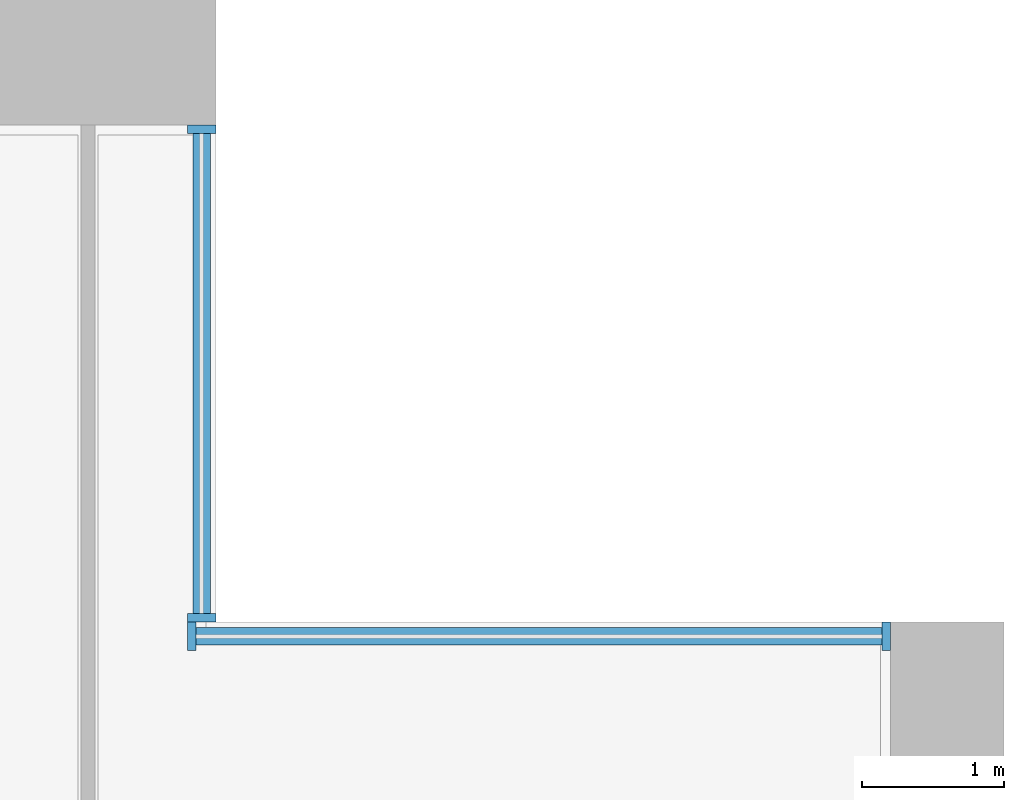
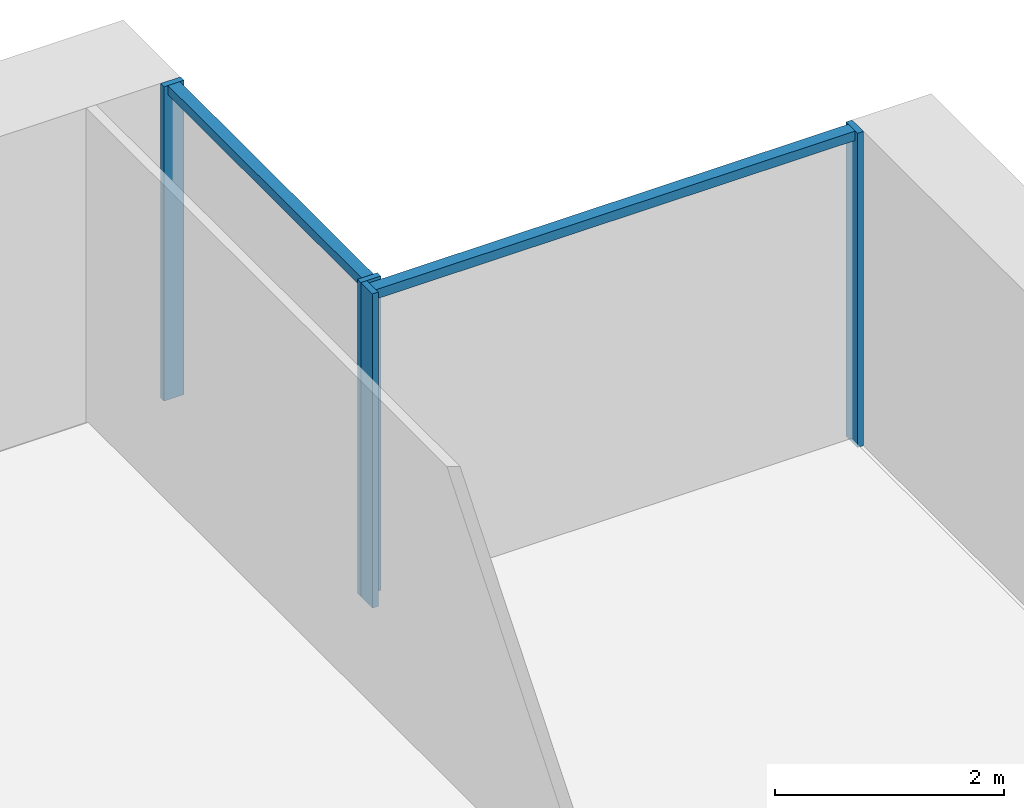
# One storey, part 6 of 18: 6 members, 2 elements without a shape of their own.
"""IFC4 building model written with IfcOpenShell, lengths in metres."""

import ifcopenshell
import ifcopenshell.guid

model = None  # the IFC model being written
_history = None  # IfcOwnerHistory: only IFC2X3 demands one
_inside = {}  # id of a spatial element -> (the spatial element, [elements in it])
_under = {}  # id of a project, library or spatial element -> (it, [spatial elements below it])
_declared = {}  # id of a project -> (the project, [libraries it declares])
_typed = {}  # id of a type object -> (the type object, [elements of that type])
_made_of = {}  # id of a material, layer set ... -> (it, [elements and type objects made of it])


def new_model(schema):
    """Start an empty IFC model of exactly this schema.

    Asked for "IFC4X3", IfcOpenShell would pick the latest addendum, in which some entities
    have other attributes; the version numbers below select the first issue.
    IFC2X3 requires an IfcOwnerHistory on every rooted entity: one is made here for all.
    """
    global model, _history
    if schema == "IFC4X3":
        model = ifcopenshell.file(schema_version=(4, 3, 0, 0))
    else:
        model = ifcopenshell.file(schema=schema)
    _inside.clear()
    _under.clear()
    _declared.clear()
    _typed.clear()
    _made_of.clear()
    _history = None
    if model.schema == "IFC2X3":
        org = make("IfcOrganization", Name="unknown")
        user = make(
            "IfcPersonAndOrganization",
            ThePerson=make("IfcPerson", FamilyName="unknown"),
            TheOrganization=org,
        )
        app = make(
            "IfcApplication",
            ApplicationDeveloper=org,
            Version="unknown",
            ApplicationFullName="unknown",
            ApplicationIdentifier="unknown",
        )
        _history = make(
            "IfcOwnerHistory",
            OwningUser=user,
            OwningApplication=app,
            ChangeAction="ADDED",
            CreationDate=0,
        )
    return model


def make(cls, **values):
    """One entity of the class cls with the attributes given. An attribute that is None is left unset."""
    return model.create_entity(
        cls, **{name: value for name, value in values.items() if value is not None}
    )


def rooted(cls, **values):
    """An entity with a GlobalId (a new one), such as an element, a storey or a relation."""
    return make(cls, GlobalId=ifcopenshell.guid.new(), OwnerHistory=_history, **values)


def si_unit(unit_type, name, prefix=None):
    """IfcSIUnit, for example si_unit("LENGTHUNIT", "METRE", prefix="MILLI")."""
    return make("IfcSIUnit", UnitType=unit_type, Prefix=prefix, Name=name)


def assignment(units):
    """IfcUnitAssignment: the units of a project."""
    return None if units is None else make("IfcUnitAssignment", Units=units)


def point(xyz):
    """IfcCartesianPoint."""
    return None if xyz is None else make("IfcCartesianPoint", Coordinates=xyz)


def direction(xyz):
    """IfcDirection."""
    return None if xyz is None else make("IfcDirection", DirectionRatios=xyz)


def frame(location, z_axis=None, x_axis=None):
    """IfcAxis2Placement3D, a coordinate frame: its origin and axes. An axis left out is left unset."""
    return make(
        "IfcAxis2Placement3D",
        Location=point(location),
        Axis=direction(z_axis),
        RefDirection=direction(x_axis),
    )


def frame_2d(location, x_axis=None):
    """IfcAxis2Placement2D, a coordinate frame in the plane: its origin and x axis."""
    return make(
        "IfcAxis2Placement2D", Location=point(location), RefDirection=direction(x_axis)
    )


def origin():
    """The frame at (0, 0, 0) with its axes left unset."""
    return frame((0.0, 0.0, 0.0))


def origin_2d():
    """The frame at (0, 0) in the plane with its x axis left unset."""
    return frame_2d((0.0, 0.0))


def place(relative_to, where):
    """IfcLocalPlacement: puts the frame where relative to a parent placement (None: the world)."""
    return make(
        "IfcLocalPlacement", PlacementRelTo=relative_to, RelativePlacement=where
    )


def context(
    kind, dimensions, precision=None, world=None, true_north=None, identifier=None
):
    """IfcGeometricRepresentationContext, for example the 3D "Model" context."""
    return make(
        "IfcGeometricRepresentationContext",
        ContextIdentifier=identifier,
        ContextType=kind,
        CoordinateSpaceDimension=dimensions,
        Precision=precision,
        WorldCoordinateSystem=world,
        TrueNorth=true_north,
    )


def subcontext(parent, identifier, kind, view, scale=None):
    """IfcGeometricRepresentationSubContext, for example "Body" below "Model"."""
    return make(
        "IfcGeometricRepresentationSubContext",
        ContextIdentifier=identifier,
        ContextType=kind,
        ParentContext=parent,
        TargetScale=scale,
        TargetView=view,
    )


def project(units=None, contexts=None):
    """IfcProject with its units and contexts."""
    return rooted(
        "IfcProject",
        Name="project",
        RepresentationContexts=contexts,
        UnitsInContext=assignment(units),
    )


def spatial(cls, under=None, at=None, **own):
    """A site, building, storey or space (cls), placed at a placement, below another one or the project."""
    s = rooted(cls, ObjectPlacement=at, **own)
    if under is not None:
        _under.setdefault(under.id(), (under, []))[1].append(s)
    return s


def profile(cls, at=None, kind="AREA", **sizes):
    """A parametric profile (cls). Its sizes go by their IFC names, for example OverallWidth=200.0."""
    return make(cls, ProfileType=kind, Position=at, **sizes)


def rectangle(**sizes):
    """IfcRectangleProfileDef."""
    return profile("IfcRectangleProfileDef", **sizes)


def extrude(swept, where, along, depth):
    """IfcExtrudedAreaSolid: the profile swept, set in the frame where, extruded along a direction by depth."""
    return make(
        "IfcExtrudedAreaSolid",
        SweptArea=swept,
        Position=where,
        ExtrudedDirection=direction(along),
        Depth=depth,
    )


def shape(context_of_items, identifier, shape_type, items):
    """IfcShapeRepresentation: the items that make up one representation, for example the "Body"."""
    return make(
        "IfcShapeRepresentation",
        ContextOfItems=context_of_items,
        RepresentationIdentifier=identifier,
        RepresentationType=shape_type,
        Items=items,
    )


def material(Name=None, Category=None):
    """IfcMaterial."""
    return make("IfcMaterial", Name=Name, Category=Category)


def material_profile(
    of_material, cross_section, Name=None, Category=None, Priority=None
):
    """IfcMaterialProfile: a cross section and its material."""
    return make(
        "IfcMaterialProfile",
        Name=Name,
        Material=of_material,
        Profile=cross_section,
        Priority=Priority,
        Category=Category,
    )


def profile_set(profiles, Name=None, composite=None):
    """IfcMaterialProfileSet."""
    return make(
        "IfcMaterialProfileSet",
        Name=Name,
        MaterialProfiles=profiles,
        CompositeProfile=composite,
    )


def made_of(thing, what):
    """Note that an element or type object is made of a material, layer set ...; save() writes the relation."""
    if what is not None:
        _made_of.setdefault(what.id(), (what, []))[1].append(thing)
    return thing


def type_object(cls, material=None, **own):
    """A type object (cls), such as IfcWallType, which elements share."""
    return made_of(rooted(cls, **own), material)


def element(
    cls,
    number,
    at=None,
    inside=None,
    cuts=None,
    type_object=None,
    material=None,
    context=None,
    identifier="Body",
    shape_type=None,
    held_by="IfcProductDefinitionShape",
    body=None,
    shapes=None,
    **own,
):
    """One element of the class cls, such as IfcWall. Its Tag is "e" and its number.

    at: its placement. inside: the storey or other place that contains it. cuts: it is an
    opening in that element (IfcRelVoidsElement). A single representation is given by context,
    identifier, shape_type and body (its items); several are given by shapes. held_by: the class
    of the entity that holds the representations. save() writes the other relations.
    """
    e = rooted(cls, Tag="e%d" % number, ObjectPlacement=at, **own)
    if body is not None:
        shapes = [shape(context, identifier, shape_type, body)]
    if shapes is not None:
        e.Representation = make(held_by, Representations=shapes)
    if inside is not None:
        _inside.setdefault(inside.id(), (inside, []))[1].append(e)
    if cuts is not None:
        rooted(
            "IfcRelVoidsElement", RelatingBuildingElement=cuts, RelatedOpeningElement=e
        )
    if type_object is not None:
        _typed.setdefault(type_object.id(), (type_object, []))[1].append(e)
    return made_of(e, material)


def aggregate(whole, parts):
    """IfcRelAggregates: a whole, such as a stair, and the parts it consists of."""
    return rooted("IfcRelAggregates", RelatingObject=whole, RelatedObjects=parts)


def save(model, path):
    """Write the relations noted so far, then the file.

    IfcRelAggregates (storeys below a building ...), IfcRelContainedInSpatialStructure (elements
    in a storey), IfcRelDefinesByType, IfcRelAssociatesMaterial and IfcRelDeclares: one each for
    every whole, place, type object, material and project.
    """
    for whole, parts in _under.values():
        aggregate(whole, parts)
    for where, things in _inside.values():
        rooted(
            "IfcRelContainedInSpatialStructure",
            RelatedElements=things,
            RelatingStructure=where,
        )
    for kind, things in _typed.values():
        rooted("IfcRelDefinesByType", RelatedObjects=things, RelatingType=kind)
    for what, things in _made_of.values():
        rooted("IfcRelAssociatesMaterial", RelatedObjects=things, RelatingMaterial=what)
    for by, libraries in _declared.values():
        rooted("IfcRelDeclares", RelatingContext=by, RelatedDefinitions=libraries)
    model.write(path)


model = new_model("IFC4")

# Units and contexts
model_context = context("Model", 3, precision=1e-05, world=origin(), true_north=direction((0.0, 1.0)))
body_context = subcontext(model_context, "Body", "Model", "MODEL_VIEW")
ifc_project = project(units=[si_unit("LENGTHUNIT", "METRE"), si_unit("AREAUNIT", "SQUARE_METRE"), si_unit("VOLUMEUNIT", "CUBIC_METRE"), si_unit("PLANEANGLEUNIT", "RADIAN"), si_unit("MASSUNIT", "GRAM", prefix="KILO")], contexts=[model_context])

# Site, building, storey
site_placement = place(None, origin())
site = spatial("IfcSite", under=ifc_project, at=site_placement, CompositionType="ELEMENT")
building_placement = place(site_placement, origin())
building = spatial("IfcBuilding", under=site, at=building_placement, Name="Calvaro Tower", CompositionType="ELEMENT")
storey_placement = place(building_placement, frame((0.0, 0.0, 37.5)))
storey = spatial("IfcBuildingStorey", under=building, at=storey_placement, Name="L08", CompositionType="ELEMENT", Elevation=37.5)

# Curtain wall, members
ifc_material_1 = material(Name="Anodised aluminium", Category="aluminium")
curtain_wall_type = type_object("IfcCurtainWallType", Name="Office curtain wall, lower zone", PredefinedType="NOTDEFINED", material=ifc_material_1)
curtain_wall_1_placement = place(storey_placement, origin())
curtain_wall_1 = element("IfcCurtainWall", 1, at=curtain_wall_1_placement, inside=storey, type_object=curtain_wall_type, Name="CW1 corner curtain wall", PredefinedType="NOTDEFINED")
ifc_material_2 = material(Name="Anodised aluminium", Category="aluminium")
ifc_material_profile_1 = material_profile(ifc_material_2, rectangle(XDim=0.199951171875, YDim=0.06005859375, at=origin_2d()), Name="Mullion S1 60 x 200")
ifc_profile_set_1 = profile_set([ifc_material_profile_1], Name="Anodised aluminium")
member_type_1 = type_object("IfcMemberType", Name="Mullion S1 60 x 200", PredefinedType="MULLION", material=ifc_profile_set_1)
member_1_placement = place(storey_placement, frame((72.35009765625, 41.530029296875, 0.0), z_axis=(0.0, 0.0, 1.0), x_axis=(-1.0, 0.0, 0.0)))
member_1 = element("IfcMember", 2, at=member_1_placement, type_object=member_type_1, Name="CW1 mullion 1", PredefinedType="MULLION", context=body_context, shape_type="SweptSolid", body=[
    extrude(rectangle(XDim=0.199951171875, YDim=0.06005859375, at=origin_2d()), origin(), (0.0, 0.0, 1.0), 3.35009765625),
])
member_2_placement = place(storey_placement, frame((72.35009765625, 44.969970703125, 0.0), z_axis=(0.0, 0.0, 1.0), x_axis=(-1.0, 0.0, 0.0)))
member_2 = element("IfcMember", 3, at=member_2_placement, type_object=member_type_1, Name="CW1 mullion 2", PredefinedType="MULLION", context=body_context, shape_type="SweptSolid", body=[
    extrude(rectangle(XDim=0.199951171875, YDim=0.06005859375, at=origin_2d()), origin(), (0.0, 0.0, 1.0), 3.35009765625),
])

curtain_wall_2_placement = place(storey_placement, origin())
curtain_wall_2 = element("IfcCurtainWall", 4, at=curtain_wall_2_placement, inside=storey, type_object=curtain_wall_type, Name="CW1 corner curtain wall", PredefinedType="NOTDEFINED")
member_3_placement = place(storey_placement, frame((72.280029296875, 41.39990234375, 0.0), z_axis=(0.0, 0.0, 1.0), x_axis=(0.0, 1.0, 0.0)))
member_3 = element("IfcMember", 5, at=member_3_placement, type_object=member_type_1, Name="CW1 mullion 1", PredefinedType="MULLION", context=body_context, shape_type="SweptSolid", body=[
    extrude(rectangle(XDim=0.199951171875, YDim=0.06005859375, at=origin_2d()), origin(), (0.0, 0.0, 1.0), 3.35009765625),
])
member_4_placement = place(storey_placement, frame((77.169921875, 41.39990234375, 0.0), z_axis=(0.0, 0.0, 1.0), x_axis=(0.0, 1.0, 0.0)))
member_4 = element("IfcMember", 6, at=member_4_placement, type_object=member_type_1, Name="CW1 mullion 2", PredefinedType="MULLION", context=body_context, shape_type="SweptSolid", body=[
    extrude(rectangle(XDim=0.199951171875, YDim=0.06005859375, at=origin_2d()), origin(), (0.0, 0.0, 1.0), 3.35009765625),
])

# Member
ifc_material_3 = material(Name="Anodised aluminium", Category="aluminium")
ifc_material_profile_2 = material_profile(ifc_material_3, rectangle(XDim=0.1201171875, YDim=0.10009765625, at=origin_2d()), Name="Transom S1 100 x 120")
ifc_profile_set_2 = profile_set([ifc_material_profile_2], Name="Anodised aluminium")
member_type_2 = type_object("IfcMemberType", Name="Transom S1 100 x 120", PredefinedType="USERDEFINED", material=ifc_profile_set_2)
member_5_placement = place(storey_placement, frame((72.35009765625, 41.56005859375, 3.300048828125), z_axis=(0.0, 1.0, 0.0), x_axis=(-1.0, 0.0, 0.0)))
member_5 = element("IfcMember", 7, at=member_5_placement, type_object=member_type_2, Name="CW1 transom 1.1", ObjectType="TRANSOM", PredefinedType="USERDEFINED", context=body_context, shape_type="SweptSolid", body=[
    extrude(rectangle(XDim=0.1201171875, YDim=0.10009765625, at=origin_2d()), origin(), (0.0, 0.0, 1.0), 3.3798828125),
])

aggregate(curtain_wall_1, [member_1, member_2, member_5])

member_6_placement = place(storey_placement, frame((72.31005859375, 41.39990234375, 3.300048828125), z_axis=(1.0, 0.0, 0.0), x_axis=(0.0, 1.0, 0.0)))
member_6 = element("IfcMember", 8, at=member_6_placement, type_object=member_type_2, Name="CW1 transom 1.1", ObjectType="TRANSOM", PredefinedType="USERDEFINED", context=body_context, shape_type="SweptSolid", body=[
    extrude(rectangle(XDim=0.1201171875, YDim=0.10009765625, at=origin_2d()), origin(), (0.0, 0.0, 1.0), 4.829833984375),
])

aggregate(curtain_wall_2, [member_3, member_4, member_6])

save(model, "model.ifc")
